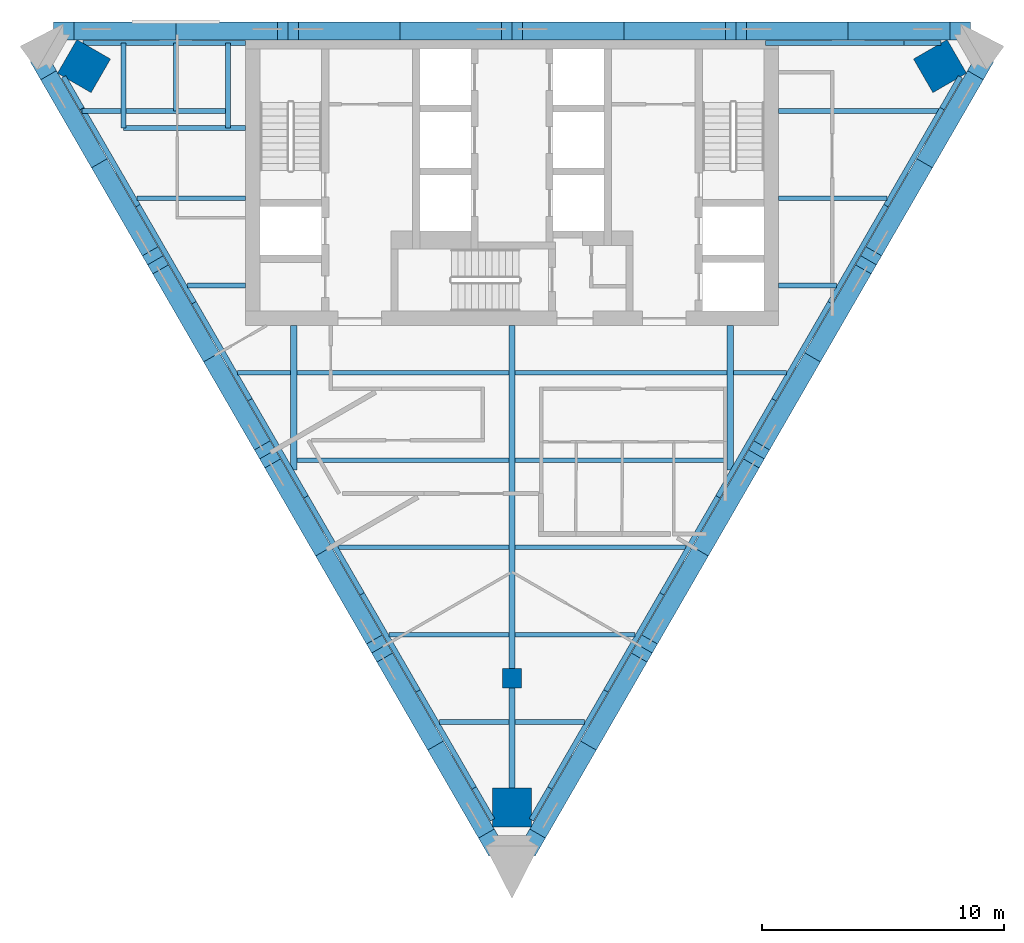
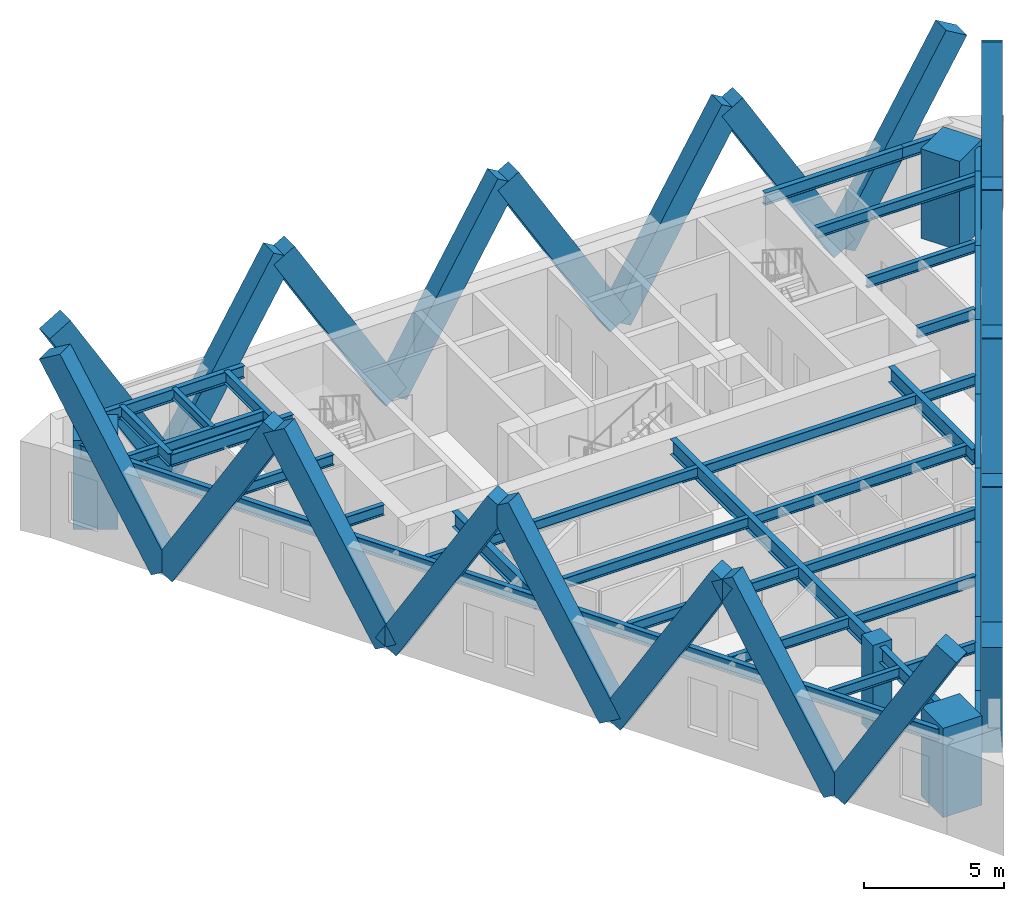
# One storey, part 1 of 7: 48 beams, 24 members, 4 columns.
"""IFC4 building model written with IfcOpenShell, lengths in metres."""

from ifc_helpers import new_model, si_unit, direction, frame, origin, origin_2d, place, context, subcontext, project, spatial, rectangle, i_section, extrude, material, material_profile, profile_set, type_object, element, save


model = new_model("IFC4")

# Units and contexts
model_context = context("Model", 3, precision=1e-05, world=origin(), true_north=direction((0.0, 1.0)))
body_context = subcontext(model_context, "Body", "Model", "MODEL_VIEW")
ifc_project = project(units=[si_unit("LENGTHUNIT", "METRE"), si_unit("AREAUNIT", "SQUARE_METRE"), si_unit("VOLUMEUNIT", "CUBIC_METRE"), si_unit("PLANEANGLEUNIT", "RADIAN"), si_unit("MASSUNIT", "GRAM", prefix="KILO")], contexts=[model_context])

# Site, building, storey
site_placement = place(None, origin())
site = spatial("IfcSite", under=ifc_project, at=site_placement, CompositionType="ELEMENT")
building_placement = place(site_placement, origin())
building = spatial("IfcBuilding", under=site, at=building_placement, Name="Aloe Facet Convention Tower", CompositionType="ELEMENT")
storey_placement = place(building_placement, frame((0.0, 0.0, 246.5)))
storey = spatial("IfcBuildingStorey", under=building, at=storey_placement, Name="L60", CompositionType="ELEMENT", Elevation=246.5)

# Columns
ifc_material_1 = material(Name="Concrete C70/85", Category="concrete")
ifc_material_profile_1 = material_profile(ifc_material_1, rectangle(XDim=0.800048828125, YDim=0.800048828125, at=origin_2d()), Name="SF-GC-Z5")
ifc_profile_set_1 = profile_set([ifc_material_profile_1], Name="Concrete C70/85")
column_type_1 = type_object("IfcColumnType", Name="SF-GC-Z5", PredefinedType="COLUMN", material=ifc_profile_set_1)
column_placement = place(storey_placement, frame((80.0, 108.0, 0.0), z_axis=(0.0, 0.0, 1.0), x_axis=(1.0, 0.0, 0.0)))
element("IfcColumn", 1, at=column_placement, inside=storey, type_object=column_type_1, Name="Gravity column GC-Z5-9D", PredefinedType="COLUMN", context=body_context, shape_type="SweptSolid", body=[
    extrude(rectangle(XDim=0.800048828125, YDim=0.800048828125, at=origin_2d()), origin(), (0.0, 0.0, 1.0), 3.89990234375),
])
ifc_material_2 = material(Name="Concrete C80/95", Category="concrete")
ifc_material_profile_2 = material_profile(ifc_material_2, rectangle(XDim=1.60009765625, YDim=1.60009765625, at=origin_2d()), Name="STW-MC-Z5")
ifc_profile_set_2 = profile_set([ifc_material_profile_2], Name="Concrete C80/95")
column_type_2 = type_object("IfcColumnType", Name="STW-MC-Z5", PredefinedType="COLUMN", material=ifc_profile_set_2)
for number, where, z_axis, x_axis, name in (
    (2, (97.650634765625, 133.247314453125, 0.0), (0.0, 0.0, 1.0), (-0.5, 0.866025403784, 0.0), "Mega-column MC-NE-L60"),
    (3, (62.349365234375, 133.247314453125, 0.0), (0.0, 0.0, 1.0), (-0.5, -0.866025403784, 0.0), "Mega-column MC-NW-L60"),
    (4, (80.0, 102.67578125, 0.0), (0.0, 0.0, 1.0), (1.0, 0.0, 0.0), "Mega-column MC-S-L60"),
):
    element("IfcColumn", number, at=place(storey_placement, frame(where, z_axis=z_axis, x_axis=x_axis)), inside=storey, type_object=column_type_2, Name=name, PredefinedType="COLUMN", context=body_context, shape_type="SweptSolid", body=[
        extrude(rectangle(XDim=1.60009765625, YDim=1.60009765625, at=origin_2d()), origin(), (0.0, 0.0, 1.0), 3.89990234375),
    ])

# Beams
ifc_material_3 = material(Name="Steel S355", Category="steel")
ifc_material_profile_3 = material_profile(ifc_material_3, i_section(OverallWidth=0.19140625, OverallDepth=0.4599609375, WebThickness=0.010009765625, FlangeThickness=0.01611328125, FilletRadius=0.01025390625, at=origin_2d()), Name="UB 457x191x82")
ifc_profile_set_3 = profile_set([ifc_material_profile_3], Name="Steel S355")
beam_type_1 = type_object("IfcBeamType", Name="SF-B-UB457x191x82", PredefinedType="BEAM", material=ifc_profile_set_3)
beam_1_placement = place(storey_placement, frame((62.26611328125, 131.39990234375, 3.52001953125), z_axis=(1.0, 0.0, 0.0), x_axis=(0.0, 1.0, 0.0)))
element("IfcBeam", 5, at=beam_1_placement, inside=storey, type_object=beam_type_1, Name="Floor beam FB-Z5C-029", PredefinedType="BEAM", context=body_context, shape_type="SweptSolid", body=[
    extrude(i_section(OverallWidth=0.19140625, OverallDepth=0.4599609375, WebThickness=0.010009765625, FlangeThickness=0.01611328125, FilletRadius=0.01025390625, at=origin_2d()), origin(), (0.0, 0.0, 1.0), 1.60009765625),
])
beam_2_placement = place(storey_placement, frame((64.53076171875, 127.800048828125, 3.52001953125), z_axis=(1.0, 0.0, 0.0), x_axis=(0.0, 1.0, 0.0)))
element("IfcBeam", 6, at=beam_2_placement, inside=storey, type_object=beam_type_1, Name="Floor beam FB-Z5C-030", PredefinedType="BEAM", context=body_context, shape_type="SweptSolid", body=[
    extrude(i_section(OverallWidth=0.19140625, OverallDepth=0.4599609375, WebThickness=0.010009765625, FlangeThickness=0.01611328125, FilletRadius=0.01025390625, at=origin_2d()), origin(), (0.0, 0.0, 1.0), 4.46923828125),
])
beam_3_placement = place(storey_placement, frame((66.609130859375, 124.199951171875, 3.52001953125), z_axis=(1.0, 0.0, 0.0), x_axis=(0.0, 1.0, 0.0)))
element("IfcBeam", 7, at=beam_3_placement, inside=storey, type_object=beam_type_1, Name="Floor beam FB-Z5C-031", PredefinedType="BEAM", context=body_context, shape_type="SweptSolid", body=[
    extrude(i_section(OverallWidth=0.19140625, OverallDepth=0.4599609375, WebThickness=0.010009765625, FlangeThickness=0.01611328125, FilletRadius=0.01025390625, at=origin_2d()), origin(), (0.0, 0.0, 1.0), 2.390869140625),
])
beam_4_placement = place(storey_placement, frame((68.687744140625, 120.60009765625, 3.52001953125), z_axis=(1.0, 0.0, 0.0), x_axis=(0.0, 1.0, 0.0)))
element("IfcBeam", 8, at=beam_4_placement, inside=storey, type_object=beam_type_1, Name="Floor beam FB-Z5C-032", PredefinedType="BEAM", context=body_context, shape_type="SweptSolid", body=[
    extrude(i_section(OverallWidth=0.19140625, OverallDepth=0.4599609375, WebThickness=0.010009765625, FlangeThickness=0.01611328125, FilletRadius=0.01025390625, at=origin_2d()), origin(), (0.0, 0.0, 1.0), 2.185791015625),
])
for number, where, z_axis, x_axis, name in (
    (9, (71.12646484375, 117.0, 3.52001953125), (1.0, 0.0, 0.0), (0.0, 1.0, 0.0), "Floor beam FB-Z5C-033"),
    (10, (71.12646484375, 120.60009765625, 3.52001953125), (1.0, 0.0, 0.0), (0.0, 1.0, 0.0), "Floor beam FB-Z5C-034"),
):
    element("IfcBeam", number, at=place(storey_placement, frame(where, z_axis=z_axis, x_axis=x_axis)), inside=storey, type_object=beam_type_1, Name=name, PredefinedType="BEAM", context=body_context, shape_type="SweptSolid", body=[
        extrude(i_section(OverallWidth=0.19140625, OverallDepth=0.4599609375, WebThickness=0.010009765625, FlangeThickness=0.01611328125, FilletRadius=0.01025390625, at=origin_2d()), origin(), (0.0, 0.0, 1.0), 8.7470703125),
    ])
beam_5_placement = place(storey_placement, frame((72.844482421875, 113.39990234375, 3.52001953125), z_axis=(1.0, 0.0, 0.0), x_axis=(0.0, 1.0, 0.0)))
element("IfcBeam", 11, at=beam_5_placement, inside=storey, type_object=beam_type_1, Name="Floor beam FB-Z5C-035", PredefinedType="BEAM", context=body_context, shape_type="SweptSolid", body=[
    extrude(i_section(OverallWidth=0.19140625, OverallDepth=0.4599609375, WebThickness=0.010009765625, FlangeThickness=0.01611328125, FilletRadius=0.01025390625, at=origin_2d()), origin(), (0.0, 0.0, 1.0), 7.029052734375),
])
beam_6_placement = place(storey_placement, frame((74.923095703125, 109.800048828125, 3.52001953125), z_axis=(1.0, 0.0, 0.0), x_axis=(0.0, 1.0, 0.0)))
element("IfcBeam", 12, at=beam_6_placement, inside=storey, type_object=beam_type_1, Name="Floor beam FB-Z5C-036", PredefinedType="BEAM", context=body_context, shape_type="SweptSolid", body=[
    extrude(i_section(OverallWidth=0.19140625, OverallDepth=0.4599609375, WebThickness=0.010009765625, FlangeThickness=0.01611328125, FilletRadius=0.01025390625, at=origin_2d()), origin(), (0.0, 0.0, 1.0), 4.950439453125),
])
for number, where, z_axis, x_axis, name in (
    (13, (77.00146484375, 106.199951171875, 3.52001953125), (1.0, 0.0, 0.0), (0.0, 1.0, 0.0), "Floor beam FB-Z5C-037"),
    (14, (80.12646484375, 106.199951171875, 3.52001953125), (1.0, 0.0, 0.0), (0.0, 1.0, 0.0), "Floor beam FB-Z5C-038"),
):
    element("IfcBeam", number, at=place(storey_placement, frame(where, z_axis=z_axis, x_axis=x_axis)), inside=storey, type_object=beam_type_1, Name=name, PredefinedType="BEAM", context=body_context, shape_type="SweptSolid", body=[
        extrude(i_section(OverallWidth=0.19140625, OverallDepth=0.4599609375, WebThickness=0.010009765625, FlangeThickness=0.01611328125, FilletRadius=0.01025390625, at=origin_2d()), origin(), (0.0, 0.0, 1.0), 2.8720703125),
    ])
beam_7_placement = place(storey_placement, frame((80.12646484375, 109.800048828125, 3.52001953125), z_axis=(1.0, 0.0, 0.0), x_axis=(0.0, 1.0, 0.0)))
element("IfcBeam", 15, at=beam_7_placement, inside=storey, type_object=beam_type_1, Name="Floor beam FB-Z5C-039", PredefinedType="BEAM", context=body_context, shape_type="SweptSolid", body=[
    extrude(i_section(OverallWidth=0.19140625, OverallDepth=0.4599609375, WebThickness=0.010009765625, FlangeThickness=0.01611328125, FilletRadius=0.01025390625, at=origin_2d()), origin(), (0.0, 0.0, 1.0), 4.950439453125),
])
beam_8_placement = place(storey_placement, frame((80.12646484375, 113.39990234375, 3.52001953125), z_axis=(1.0, 0.0, 0.0), x_axis=(0.0, 1.0, 0.0)))
element("IfcBeam", 16, at=beam_8_placement, inside=storey, type_object=beam_type_1, Name="Floor beam FB-Z5C-040", PredefinedType="BEAM", context=body_context, shape_type="SweptSolid", body=[
    extrude(i_section(OverallWidth=0.19140625, OverallDepth=0.4599609375, WebThickness=0.010009765625, FlangeThickness=0.01611328125, FilletRadius=0.01025390625, at=origin_2d()), origin(), (0.0, 0.0, 1.0), 7.029052734375),
])
for number, where, z_axis, x_axis, name in (
    (17, (80.12646484375, 117.0, 3.52001953125), (1.0, 0.0, 0.0), (0.0, 1.0, 0.0), "Floor beam FB-Z5C-041"),
    (18, (80.12646484375, 120.60009765625, 3.52001953125), (1.0, 0.0, 0.0), (0.0, 1.0, 0.0), "Floor beam FB-Z5C-042"),
):
    element("IfcBeam", number, at=place(storey_placement, frame(where, z_axis=z_axis, x_axis=x_axis)), inside=storey, type_object=beam_type_1, Name=name, PredefinedType="BEAM", context=body_context, shape_type="SweptSolid", body=[
        extrude(i_section(OverallWidth=0.19140625, OverallDepth=0.4599609375, WebThickness=0.010009765625, FlangeThickness=0.01611328125, FilletRadius=0.01025390625, at=origin_2d()), origin(), (0.0, 0.0, 1.0), 8.7470703125),
    ])
beam_9_placement = place(storey_placement, frame((89.12646484375, 120.60009765625, 3.52001953125), z_axis=(1.0, 0.0, 0.0), x_axis=(0.0, 1.0, 0.0)))
element("IfcBeam", 19, at=beam_9_placement, inside=storey, type_object=beam_type_1, Name="Floor beam FB-Z5C-043", PredefinedType="BEAM", context=body_context, shape_type="SweptSolid", body=[
    extrude(i_section(OverallWidth=0.19140625, OverallDepth=0.4599609375, WebThickness=0.010009765625, FlangeThickness=0.01611328125, FilletRadius=0.01025390625, at=origin_2d()), origin(), (0.0, 0.0, 1.0), 2.185791015625),
])
beam_10_placement = place(storey_placement, frame((91.0, 124.199951171875, 3.52001953125), z_axis=(1.0, 0.0, 0.0), x_axis=(0.0, 1.0, 0.0)))
element("IfcBeam", 20, at=beam_10_placement, inside=storey, type_object=beam_type_1, Name="Floor beam FB-Z5C-044", PredefinedType="BEAM", context=body_context, shape_type="SweptSolid", body=[
    extrude(i_section(OverallWidth=0.19140625, OverallDepth=0.4599609375, WebThickness=0.010009765625, FlangeThickness=0.01611328125, FilletRadius=0.01025390625, at=origin_2d()), origin(), (0.0, 0.0, 1.0), 2.390869140625),
])
beam_11_placement = place(storey_placement, frame((91.0, 127.800048828125, 3.52001953125), z_axis=(1.0, 0.0, 0.0), x_axis=(0.0, 1.0, 0.0)))
element("IfcBeam", 21, at=beam_11_placement, inside=storey, type_object=beam_type_1, Name="Floor beam FB-Z5C-045", PredefinedType="BEAM", context=body_context, shape_type="SweptSolid", body=[
    extrude(i_section(OverallWidth=0.19140625, OverallDepth=0.4599609375, WebThickness=0.010009765625, FlangeThickness=0.01611328125, FilletRadius=0.01025390625, at=origin_2d()), origin(), (0.0, 0.0, 1.0), 4.46923828125),
])
beam_12_placement = place(storey_placement, frame((91.0, 131.39990234375, 3.52001953125), z_axis=(1.0, 0.0, 0.0), x_axis=(0.0, 1.0, 0.0)))
element("IfcBeam", 22, at=beam_12_placement, inside=storey, type_object=beam_type_1, Name="Floor beam FB-Z5C-046", PredefinedType="BEAM", context=body_context, shape_type="SweptSolid", body=[
    extrude(i_section(OverallWidth=0.19140625, OverallDepth=0.4599609375, WebThickness=0.010009765625, FlangeThickness=0.01611328125, FilletRadius=0.01025390625, at=origin_2d()), origin(), (0.0, 0.0, 1.0), 6.73388671875),
])
beam_13_placement = place(storey_placement, frame((64.08544921875, 131.39990234375, 3.52001953125), z_axis=(1.0, 0.0, 0.0), x_axis=(0.0, 1.0, 0.0)))
element("IfcBeam", 23, at=beam_13_placement, inside=storey, type_object=beam_type_1, Name="Terrace beam FB-T13-1", PredefinedType="BEAM", context=body_context, shape_type="SweptSolid", body=[
    extrude(i_section(OverallWidth=0.19140625, OverallDepth=0.4599609375, WebThickness=0.010009765625, FlangeThickness=0.01611328125, FilletRadius=0.01025390625, at=origin_2d()), origin(), (0.0, 0.0, 1.0), 4.099853515625),
])
beam_14_placement = place(storey_placement, frame((66.135498046875, 131.39990234375, 3.52001953125), z_axis=(0.0, 1.0, 0.0), x_axis=(-1.0, 0.0, 0.0)))
element("IfcBeam", 24, at=beam_14_placement, inside=storey, type_object=beam_type_1, Name="Terrace beam FB-T13-3", PredefinedType="BEAM", context=body_context, shape_type="SweptSolid", body=[
    extrude(i_section(OverallWidth=0.19140625, OverallDepth=0.4599609375, WebThickness=0.010009765625, FlangeThickness=0.01611328125, FilletRadius=0.01025390625, at=origin_2d()), origin(), (0.0, 0.0, 1.0), 2.79541015625),
])
ifc_material_4 = material(Name="Steel S355", Category="steel")
ifc_material_profile_4 = material_profile(ifc_material_4, i_section(OverallWidth=0.209228515625, OverallDepth=0.533203125, WebThickness=0.010009765625, FlangeThickness=0.015625, FilletRadius=0.0126953125, at=origin_2d()), Name="UB 533x210x92")
ifc_profile_set_4 = profile_set([ifc_material_profile_4], Name="Steel S355")
beam_type_2 = type_object("IfcBeamType", Name="SF-B-UB533x210x92", PredefinedType="BEAM", material=ifc_profile_set_4)
beam_15_placement = place(storey_placement, frame((62.26611328125, 131.495849609375, 3.4833984375), z_axis=(-0.49996389635, 0.866046247233, 0.0), x_axis=(-0.866046247233, -0.49996389635, 0.0)))
element("IfcBeam", 25, at=beam_15_placement, inside=storey, type_object=beam_type_2, Name="Floor beam FB-Z5C-001", PredefinedType="BEAM", context=body_context, shape_type="SweptSolid", body=[
    extrude(i_section(OverallWidth=0.209228515625, OverallDepth=0.533203125, WebThickness=0.010009765625, FlangeThickness=0.015625, FilletRadius=0.0126953125, at=origin_2d()), origin(), (0.0, 0.0, 1.0), 1.51708984375),
])
beam_16_placement = place(storey_placement, frame((62.3076171875, 134.1953125, 3.4833984375), z_axis=(1.0, 0.0, 0.0), x_axis=(0.0, 1.0, 0.0)))
element("IfcBeam", 26, at=beam_16_placement, inside=storey, type_object=beam_type_2, Name="Floor beam FB-Z5C-002", PredefinedType="BEAM", context=body_context, shape_type="SweptSolid", body=[
    extrude(i_section(OverallWidth=0.209228515625, OverallDepth=0.533203125, WebThickness=0.010009765625, FlangeThickness=0.015625, FilletRadius=0.0126953125, at=origin_2d()), origin(), (0.0, 0.0, 1.0), 6.6923828125),
])
beam_17_placement = place(storey_placement, frame((63.980712890625, 130.6953125, 3.4833984375), z_axis=(1.0, 0.0, 0.0), x_axis=(0.0, 1.0, 0.0)))
element("IfcBeam", 27, at=beam_17_placement, inside=storey, type_object=beam_type_2, Name="Floor beam FB-Z5C-003", PredefinedType="BEAM", context=body_context, shape_type="SweptSolid", body=[
    extrude(i_section(OverallWidth=0.209228515625, OverallDepth=0.533203125, WebThickness=0.010009765625, FlangeThickness=0.015625, FilletRadius=0.0126953125, at=origin_2d()), origin(), (0.0, 0.0, 1.0), 5.019287109375),
])
beam_18_placement = place(storey_placement, frame((63.980712890625, 134.1953125, 3.4833984375), z_axis=(0.0, -1.0, 0.0), x_axis=(1.0, 0.0, 0.0)))
element("IfcBeam", 28, at=beam_18_placement, inside=storey, type_object=beam_type_2, Name="Floor beam FB-Z5C-004", PredefinedType="BEAM", context=body_context, shape_type="SweptSolid", body=[
    extrude(i_section(OverallWidth=0.209228515625, OverallDepth=0.533203125, WebThickness=0.010009765625, FlangeThickness=0.015625, FilletRadius=0.0126953125, at=origin_2d()), origin(), (0.0, 0.0, 1.0), 3.5),
])
beam_19_placement = place(storey_placement, frame((64.576904296875, 127.493408203125, 3.4833984375), z_axis=(-0.49999681804, 0.866027240882, 0.0), x_axis=(-0.866027240882, -0.49999681804, 0.0)))
element("IfcBeam", 29, at=beam_19_placement, inside=storey, type_object=beam_type_2, Name="Floor beam FB-Z5C-005", PredefinedType="BEAM", context=body_context, shape_type="SweptSolid", body=[
    extrude(i_section(OverallWidth=0.209228515625, OverallDepth=0.533203125, WebThickness=0.010009765625, FlangeThickness=0.015625, FilletRadius=0.0126953125, at=origin_2d()), origin(), (0.0, 0.0, 1.0), 4.62158203125),
])
beam_20_placement = place(storey_placement, frame((66.8876953125, 123.4912109375, 3.4833984375), z_axis=(-0.500019693086, 0.866014033677, 0.0), x_axis=(-0.866014033677, -0.500019693086, 0.0)))
element("IfcBeam", 30, at=beam_20_placement, inside=storey, type_object=beam_type_2, Name="Floor beam FB-Z5C-006", PredefinedType="BEAM", context=body_context, shape_type="SweptSolid", body=[
    extrude(i_section(OverallWidth=0.209228515625, OverallDepth=0.533203125, WebThickness=0.010009765625, FlangeThickness=0.015625, FilletRadius=0.0126953125, at=origin_2d()), origin(), (0.0, 0.0, 1.0), 4.621337890625),
])
beam_21_placement = place(storey_placement, frame((68.2900390625, 130.6953125, 3.4833984375), z_axis=(0.0, 1.0, 0.0), x_axis=(-1.0, 0.0, 0.0)))
element("IfcBeam", 31, at=beam_21_placement, inside=storey, type_object=beam_type_2, Name="Floor beam FB-Z5C-007", PredefinedType="BEAM", context=body_context, shape_type="SweptSolid", body=[
    extrude(i_section(OverallWidth=0.209228515625, OverallDepth=0.533203125, WebThickness=0.010009765625, FlangeThickness=0.015625, FilletRadius=0.0126953125, at=origin_2d()), origin(), (0.0, 0.0, 1.0), 3.5),
])
for number, where, z_axis, x_axis, name in (
    (32, (69.198486328125, 119.48876953125, 3.4833984375), (-0.49999681804, 0.866027240882, 0.0), (-0.866027240882, -0.49999681804, 0.0), "Floor beam FB-Z5C-008"),
    (33, (71.50927734375, 115.486328125, 3.4833984375), (-0.49999681804, 0.866027240882, 0.0), (-0.866027240882, -0.49999681804, 0.0), "Floor beam FB-Z5C-009"),
    (34, (73.81982421875, 111.48388671875, 3.4833984375), (-0.499957196903, 0.866050114754, 0.0), (-0.866050114754, -0.499957196903, 0.0), "Floor beam FB-Z5C-010"),
):
    element("IfcBeam", number, at=place(storey_placement, frame(where, z_axis=z_axis, x_axis=x_axis)), inside=storey, type_object=beam_type_2, Name=name, PredefinedType="BEAM", context=body_context, shape_type="SweptSolid", body=[
        extrude(i_section(OverallWidth=0.209228515625, OverallDepth=0.533203125, WebThickness=0.010009765625, FlangeThickness=0.015625, FilletRadius=0.0126953125, at=origin_2d()), origin(), (0.0, 0.0, 1.0), 4.62158203125),
    ])
beam_22_placement = place(storey_placement, frame((76.130615234375, 107.481689453125, 3.4833984375), z_axis=(-0.500019693086, 0.866014033677, 0.0), x_axis=(-0.866014033677, -0.500019693086, 0.0)))
element("IfcBeam", 35, at=beam_22_placement, inside=storey, type_object=beam_type_2, Name="Floor beam FB-Z5C-011", PredefinedType="BEAM", context=body_context, shape_type="SweptSolid", body=[
    extrude(i_section(OverallWidth=0.209228515625, OverallDepth=0.533203125, WebThickness=0.010009765625, FlangeThickness=0.015625, FilletRadius=0.0126953125, at=origin_2d()), origin(), (0.0, 0.0, 1.0), 4.621337890625),
])
beam_23_placement = place(storey_placement, frame((78.44140625, 103.479248046875, 3.4833984375), z_axis=(-0.49999681804, 0.866027240882, 0.0), x_axis=(-0.866027240882, -0.49999681804, 0.0)))
element("IfcBeam", 36, at=beam_23_placement, inside=storey, type_object=beam_type_2, Name="Floor beam FB-Z5C-012", PredefinedType="BEAM", context=body_context, shape_type="SweptSolid", body=[
    extrude(i_section(OverallWidth=0.209228515625, OverallDepth=0.533203125, WebThickness=0.010009765625, FlangeThickness=0.015625, FilletRadius=0.0126953125, at=origin_2d()), origin(), (0.0, 0.0, 1.0), 4.62158203125),
])
for number, where, z_axis, x_axis, name in (
    (37, (79.199951171875, 102.16552734375, 3.4833984375), (-0.500033579465, 0.866006015803, 0.0), (-0.866006015803, -0.500033579465, 0.0), "Floor beam FB-Z5C-013"),
    (38, (81.55859375, 103.479248046875, 3.4833984375), (-0.500033579465, -0.866006015803, 0.0), (0.866006015803, -0.500033579465, 0.0), "Floor beam FB-Z5C-014"),
):
    element("IfcBeam", number, at=place(storey_placement, frame(where, z_axis=z_axis, x_axis=x_axis)), inside=storey, type_object=beam_type_2, Name=name, PredefinedType="BEAM", context=body_context, shape_type="SweptSolid", body=[
        extrude(i_section(OverallWidth=0.209228515625, OverallDepth=0.533203125, WebThickness=0.010009765625, FlangeThickness=0.015625, FilletRadius=0.0126953125, at=origin_2d()), origin(), (0.0, 0.0, 1.0), 1.51708984375),
    ])
beam_24_placement = place(storey_placement, frame((83.869384765625, 107.481689453125, 3.4833984375), z_axis=(-0.49999681804, -0.866027240882, 0.0), x_axis=(0.866027240882, -0.49999681804, 0.0)))
element("IfcBeam", 39, at=beam_24_placement, inside=storey, type_object=beam_type_2, Name="Floor beam FB-Z5C-015", PredefinedType="BEAM", context=body_context, shape_type="SweptSolid", body=[
    extrude(i_section(OverallWidth=0.209228515625, OverallDepth=0.533203125, WebThickness=0.010009765625, FlangeThickness=0.015625, FilletRadius=0.0126953125, at=origin_2d()), origin(), (0.0, 0.0, 1.0), 4.62158203125),
])
beam_25_placement = place(storey_placement, frame((86.18017578125, 111.48388671875, 3.4833984375), z_axis=(-0.500019693086, -0.866014033677, 0.0), x_axis=(0.866014033677, -0.500019693086, 0.0)))
element("IfcBeam", 40, at=beam_25_placement, inside=storey, type_object=beam_type_2, Name="Floor beam FB-Z5C-016", PredefinedType="BEAM", context=body_context, shape_type="SweptSolid", body=[
    extrude(i_section(OverallWidth=0.209228515625, OverallDepth=0.533203125, WebThickness=0.010009765625, FlangeThickness=0.015625, FilletRadius=0.0126953125, at=origin_2d()), origin(), (0.0, 0.0, 1.0), 4.621337890625),
])
beam_26_placement = place(storey_placement, frame((88.49072265625, 115.486328125, 3.4833984375), z_axis=(-0.499957196903, -0.866050114754, 0.0), x_axis=(0.866050114754, -0.499957196903, 0.0)))
element("IfcBeam", 41, at=beam_26_placement, inside=storey, type_object=beam_type_2, Name="Floor beam FB-Z5C-017", PredefinedType="BEAM", context=body_context, shape_type="SweptSolid", body=[
    extrude(i_section(OverallWidth=0.209228515625, OverallDepth=0.533203125, WebThickness=0.010009765625, FlangeThickness=0.015625, FilletRadius=0.0126953125, at=origin_2d()), origin(), (0.0, 0.0, 1.0), 4.62158203125),
])
beam_27_placement = place(storey_placement, frame((90.453857421875, 134.1953125, 3.4833984375), z_axis=(1.0, 0.0, 0.0), x_axis=(0.0, 1.0, 0.0)))
element("IfcBeam", 42, at=beam_27_placement, inside=storey, type_object=beam_type_2, Name="Floor beam FB-Z5C-018", PredefinedType="BEAM", context=body_context, shape_type="SweptSolid", body=[
    extrude(i_section(OverallWidth=0.209228515625, OverallDepth=0.533203125, WebThickness=0.010009765625, FlangeThickness=0.015625, FilletRadius=0.0126953125, at=origin_2d()), origin(), (0.0, 0.0, 1.0), 5.721435546875),
])
for number, where, z_axis, x_axis, name in (
    (43, (90.801513671875, 119.48876953125, 3.4833984375), (-0.49999681804, -0.866027240882, 0.0), (0.866027240882, -0.49999681804, 0.0), "Floor beam FB-Z5C-019"),
    (44, (93.1123046875, 123.4912109375, 3.4833984375), (-0.49999681804, -0.866027240882, 0.0), (0.866027240882, -0.49999681804, 0.0), "Floor beam FB-Z5C-020"),
):
    element("IfcBeam", number, at=place(storey_placement, frame(where, z_axis=z_axis, x_axis=x_axis)), inside=storey, type_object=beam_type_2, Name=name, PredefinedType="BEAM", context=body_context, shape_type="SweptSolid", body=[
        extrude(i_section(OverallWidth=0.209228515625, OverallDepth=0.533203125, WebThickness=0.010009765625, FlangeThickness=0.015625, FilletRadius=0.0126953125, at=origin_2d()), origin(), (0.0, 0.0, 1.0), 4.62158203125),
    ])
beam_28_placement = place(storey_placement, frame((95.423095703125, 127.493408203125, 3.4833984375), z_axis=(-0.500019693086, -0.866014033677, 0.0), x_axis=(0.866014033677, -0.500019693086, 0.0)))
element("IfcBeam", 45, at=beam_28_placement, inside=storey, type_object=beam_type_2, Name="Floor beam FB-Z5C-021", PredefinedType="BEAM", context=body_context, shape_type="SweptSolid", body=[
    extrude(i_section(OverallWidth=0.209228515625, OverallDepth=0.533203125, WebThickness=0.010009765625, FlangeThickness=0.015625, FilletRadius=0.0126953125, at=origin_2d()), origin(), (0.0, 0.0, 1.0), 4.621337890625),
])
beam_29_placement = place(storey_placement, frame((96.17529296875, 134.1953125, 3.4833984375), z_axis=(1.0, 0.0, 0.0), x_axis=(0.0, 1.0, 0.0)))
element("IfcBeam", 46, at=beam_29_placement, inside=storey, type_object=beam_type_2, Name="Floor beam FB-Z5C-022", PredefinedType="BEAM", context=body_context, shape_type="SweptSolid", body=[
    extrude(i_section(OverallWidth=0.209228515625, OverallDepth=0.533203125, WebThickness=0.010009765625, FlangeThickness=0.015625, FilletRadius=0.0126953125, at=origin_2d()), origin(), (0.0, 0.0, 1.0), 1.51708984375),
])
beam_30_placement = place(storey_placement, frame((97.73388671875, 131.495849609375, 3.4833984375), z_axis=(-0.49999681804, -0.866027240882, 0.0), x_axis=(0.866027240882, -0.49999681804, 0.0)))
element("IfcBeam", 47, at=beam_30_placement, inside=storey, type_object=beam_type_2, Name="Floor beam FB-Z5C-023", PredefinedType="BEAM", context=body_context, shape_type="SweptSolid", body=[
    extrude(i_section(OverallWidth=0.209228515625, OverallDepth=0.533203125, WebThickness=0.010009765625, FlangeThickness=0.015625, FilletRadius=0.0126953125, at=origin_2d()), origin(), (0.0, 0.0, 1.0), 4.62158203125),
])
beam_31_placement = place(storey_placement, frame((98.492431640625, 132.809814453125, 3.4833984375), z_axis=(-0.49996389635, -0.866046247233, 0.0), x_axis=(0.866046247233, -0.49996389635, 0.0)))
element("IfcBeam", 48, at=beam_31_placement, inside=storey, type_object=beam_type_2, Name="Floor beam FB-Z5C-024", PredefinedType="BEAM", context=body_context, shape_type="SweptSolid", body=[
    extrude(i_section(OverallWidth=0.209228515625, OverallDepth=0.533203125, WebThickness=0.010009765625, FlangeThickness=0.015625, FilletRadius=0.0126953125, at=origin_2d()), origin(), (0.0, 0.0, 1.0), 1.51708984375),
])
ifc_material_5 = material(Name="Steel S355", Category="steel")
ifc_material_profile_5 = material_profile(ifc_material_5, i_section(OverallWidth=0.2529296875, OverallDepth=0.677978515625, WebThickness=0.01171875, FlangeThickness=0.01611328125, FilletRadius=0.01513671875, at=origin_2d()), Name="UB 686x254x125")
ifc_profile_set_5 = profile_set([ifc_material_profile_5], Name="Steel S355")
beam_type_3 = type_object("IfcBeamType", Name="SF-B-UB686x254x125", PredefinedType="BEAM", material=ifc_profile_set_5)
beam_32_placement = place(storey_placement, frame((71.0, 122.550048828125, 3.410888671875), z_axis=(0.0, -1.0, 0.0), x_axis=(1.0, 0.0, 0.0)))
element("IfcBeam", 49, at=beam_32_placement, inside=storey, type_object=beam_type_3, Name="Floor beam FB-Z5C-025", PredefinedType="BEAM", context=body_context, shape_type="SweptSolid", body=[
    extrude(i_section(OverallWidth=0.2529296875, OverallDepth=0.677978515625, WebThickness=0.01171875, FlangeThickness=0.01611328125, FilletRadius=0.01513671875, at=origin_2d()), origin(), (0.0, 0.0, 1.0), 5.96240234375),
])
beam_33_placement = place(storey_placement, frame((80.0, 107.60009765625, 3.410888671875), z_axis=(0.0, -1.0, 0.0), x_axis=(1.0, 0.0, 0.0)))
element("IfcBeam", 50, at=beam_33_placement, inside=storey, type_object=beam_type_3, Name="Floor beam FB-Z5C-026", PredefinedType="BEAM", context=body_context, shape_type="SweptSolid", body=[
    extrude(i_section(OverallWidth=0.2529296875, OverallDepth=0.677978515625, WebThickness=0.01171875, FlangeThickness=0.01611328125, FilletRadius=0.01513671875, at=origin_2d()), origin(), (0.0, 0.0, 1.0), 5.60498046875),
])
beam_34_placement = place(storey_placement, frame((80.0, 122.550048828125, 3.410888671875), z_axis=(0.0, -1.0, 0.0), x_axis=(1.0, 0.0, 0.0)))
element("IfcBeam", 51, at=beam_34_placement, inside=storey, type_object=beam_type_3, Name="Floor beam FB-Z5C-027", PredefinedType="BEAM", context=body_context, shape_type="SweptSolid", body=[
    extrude(i_section(OverallWidth=0.2529296875, OverallDepth=0.677978515625, WebThickness=0.01171875, FlangeThickness=0.01611328125, FilletRadius=0.01513671875, at=origin_2d()), origin(), (0.0, 0.0, 1.0), 14.150146484375),
])
beam_35_placement = place(storey_placement, frame((89.0, 122.550048828125, 3.410888671875), z_axis=(0.0, -1.0, 0.0), x_axis=(1.0, 0.0, 0.0)))
element("IfcBeam", 52, at=beam_35_placement, inside=storey, type_object=beam_type_3, Name="Floor beam FB-Z5C-028", PredefinedType="BEAM", context=body_context, shape_type="SweptSolid", body=[
    extrude(i_section(OverallWidth=0.2529296875, OverallDepth=0.677978515625, WebThickness=0.01171875, FlangeThickness=0.01611328125, FilletRadius=0.01513671875, at=origin_2d()), origin(), (0.0, 0.0, 1.0), 5.96240234375),
])

# Members
ifc_material_6 = material(Name="Concrete C60/75, bronze oxide finish", Category="concrete")
ifc_material_profile_6 = material_profile(ifc_material_6, rectangle(XDim=0.75, YDim=1.0, at=origin_2d()), Name="STW-LM")
ifc_profile_set_6 = profile_set([ifc_material_profile_6], Name="Concrete C60/75, bronze oxide finish")
member_type = type_object("IfcMemberType", Name="STW-LM", PredefinedType="BRACE", material=ifc_profile_set_6)
for number, where, z_axis, x_axis, name in (
    (53, (93.864501953125, 134.699951171875, 0.0), (0.50974776773, 0.0, 0.860323900223), (0.0, 1.0, 0.0), "Lattice member LM-Z5-F1-R1-01"),
    (54, (93.864501953125, 134.699951171875, 0.0), (-0.509727836338, 0.0, 0.860335709396), (0.0, -1.0, 0.0), "Lattice member LM-Z5-F1-R1-02"),
    (55, (84.62158203125, 134.699951171875, 0.0), (0.50974776773, 0.0, 0.860323900223), (0.0, 1.0, 0.0), "Lattice member LM-Z5-F1-R1-03"),
    (56, (84.62158203125, 134.699951171875, 0.0), (-0.50974776773, 0.0, 0.860323900223), (0.0, -1.0, 0.0), "Lattice member LM-Z5-F1-R1-04"),
    (57, (75.37841796875, 134.699951171875, 0.0), (0.50974776773, 0.0, 0.860323900223), (0.0, 1.0, 0.0), "Lattice member LM-Z5-F1-R1-05"),
    (58, (75.37841796875, 134.699951171875, 0.0), (-0.50974776773, 0.0, 0.860323900223), (0.0, -1.0, 0.0), "Lattice member LM-Z5-F1-R1-06"),
    (59, (66.135498046875, 134.699951171875, 0.0), (0.509727836338, 0.0, 0.860335709396), (0.0, 1.0, 0.0), "Lattice member LM-Z5-F1-R1-07"),
    (60, (66.135498046875, 134.699951171875, 0.0), (-0.50974776773, 0.0, 0.860323900223), (0.0, -1.0, 0.0), "Lattice member LM-Z5-F1-R1-08"),
    (61, (62.984375, 129.242431640625, 0.0), (-0.254876492185, 0.441435851704, 0.860332704575), (-0.866014033677, -0.500019693086, 0.0), "Lattice member LM-Z5-F2-R1-01"),
    (62, (62.984375, 129.242431640625, 0.0), (0.254873462398, -0.441457532229, 0.860322477565), (0.866027240882, 0.49999681804, 0.0), "Lattice member LM-Z5-F2-R1-02"),
    (63, (67.60595703125, 121.237548828125, 0.0), (-0.254873462398, 0.441457532229, 0.860322477565), (-0.866027240882, -0.49999681804, 0.0), "Lattice member LM-Z5-F2-R1-03"),
    (64, (67.60595703125, 121.237548828125, 0.0), (0.254876492185, -0.441435851704, 0.860332704575), (0.866014033677, 0.500019693086, 0.0), "Lattice member LM-Z5-F2-R1-04"),
    (65, (72.2275390625, 113.23291015625, 0.0), (-0.254873462398, 0.441457532229, 0.860322477565), (-0.866027240882, -0.49999681804, 0.0), "Lattice member LM-Z5-F2-R1-05"),
    (66, (72.2275390625, 113.23291015625, 0.0), (0.254873462398, -0.441457532229, 0.860322477565), (0.866027240882, 0.49999681804, 0.0), "Lattice member LM-Z5-F2-R1-06"),
    (67, (76.84912109375, 105.228271484375, 0.0), (-0.254876492185, 0.441435851704, 0.860332704575), (-0.866014033677, -0.500019693086, 0.0), "Lattice member LM-Z5-F2-R1-07"),
    (68, (76.84912109375, 105.228271484375, 0.0), (0.254873462398, -0.441457532229, 0.860322477565), (0.866027240882, 0.49999681804, 0.0), "Lattice member LM-Z5-F2-R1-08"),
    (69, (83.15087890625, 105.228271484375, 0.0), (-0.254873462398, -0.441457532229, 0.860322477565), (0.866027240882, -0.49999681804, 0.0), "Lattice member LM-Z5-F3-R1-01"),
    (70, (83.15087890625, 105.228271484375, 0.0), (0.254876492185, 0.441435851704, 0.860332704575), (-0.866014033677, 0.500019693086, 0.0), "Lattice member LM-Z5-F3-R1-02"),
    (71, (87.7724609375, 113.23291015625, 0.0), (-0.254873462398, -0.441457532229, 0.860322477565), (0.866027240882, -0.49999681804, 0.0), "Lattice member LM-Z5-F3-R1-03"),
    (72, (87.7724609375, 113.23291015625, 0.0), (0.254873462398, 0.441457532229, 0.860322477565), (-0.866027240882, 0.49999681804, 0.0), "Lattice member LM-Z5-F3-R1-04"),
    (73, (92.39404296875, 121.237548828125, 0.0), (-0.254876492185, -0.441435851704, 0.860332704575), (0.866014033677, -0.500019693086, 0.0), "Lattice member LM-Z5-F3-R1-05"),
    (74, (92.39404296875, 121.237548828125, 0.0), (0.254873462398, 0.441457532229, 0.860322477565), (-0.866027240882, 0.49999681804, 0.0), "Lattice member LM-Z5-F3-R1-06"),
    (75, (97.015625, 129.242431640625, 0.0), (-0.254873462398, -0.441457532229, 0.860322477565), (0.866027240882, -0.49999681804, 0.0), "Lattice member LM-Z5-F3-R1-07"),
    (76, (97.015625, 129.242431640625, 0.0), (0.254876492185, 0.441435851704, 0.860332704575), (-0.866014033677, 0.500019693086, 0.0), "Lattice member LM-Z5-F3-R1-08"),
):
    element("IfcMember", number, at=place(storey_placement, frame(where, z_axis=z_axis, x_axis=x_axis)), inside=storey, type_object=member_type, Name=name, PredefinedType="BRACE", context=body_context, shape_type="SweptSolid", body=[
        extrude(rectangle(XDim=0.75, YDim=1.0, at=origin_2d()), origin(), (0.0, 0.0, 1.0), 9.06640625),
    ])

save(model, "model.ifc")
